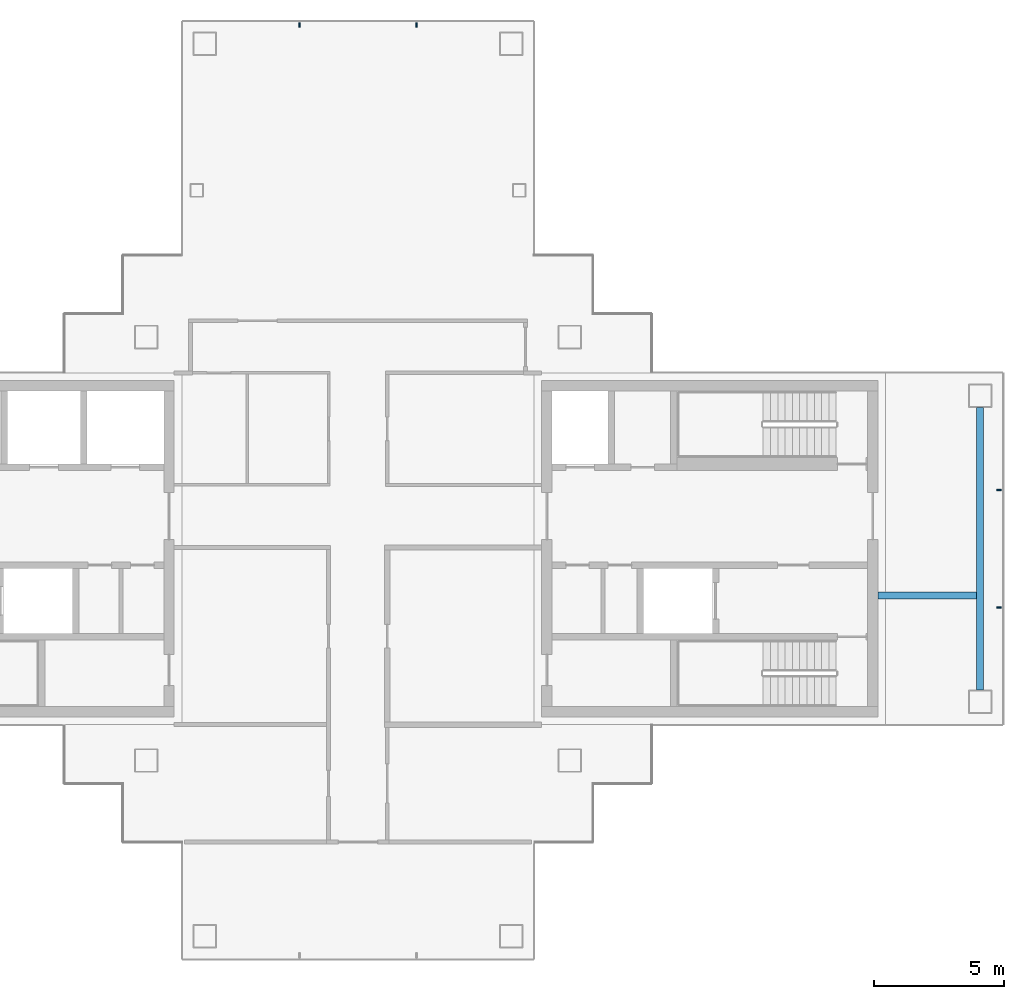
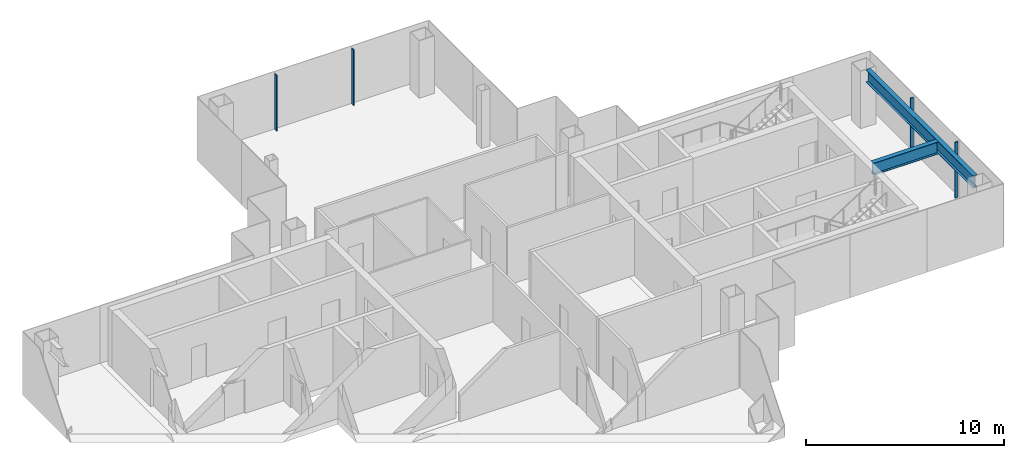
# One storey, part 6 of 16: 4 members, 2 beams, 2 elements without a shape of their own.
"""IFC4 building model written with IfcOpenShell, lengths in metres."""

from ifc_helpers import new_model, si_unit, direction, frame, origin, origin_2d, place, context, subcontext, project, spatial, rectangle, i_section, extrude, material, layer, layer_set, material_profile, profile_set, type_object, element, aggregate, save


model = new_model("IFC4")

# Units and contexts
model_context = context("Model", 3, precision=1e-05, world=origin(), true_north=direction((0.0, 1.0)))
body_context = subcontext(model_context, "Body", "Model", "MODEL_VIEW")
ifc_project = project(units=[si_unit("LENGTHUNIT", "METRE"), si_unit("AREAUNIT", "SQUARE_METRE"), si_unit("VOLUMEUNIT", "CUBIC_METRE"), si_unit("PLANEANGLEUNIT", "RADIAN"), si_unit("MASSUNIT", "GRAM", prefix="KILO")], contexts=[model_context])

# Site, building, storey
site_placement = place(None, origin())
site = spatial("IfcSite", under=ifc_project, at=site_placement, CompositionType="ELEMENT")
building_placement = place(site_placement, origin())
building = spatial("IfcBuilding", under=site, at=building_placement, Name="Shamsa Quay Exchange Towers", CompositionType="ELEMENT")
storey_placement = place(building_placement, frame((0.0, 0.0, 265.5)))
storey = spatial("IfcBuildingStorey", under=building, at=storey_placement, Name="L64", CompositionType="ELEMENT", Elevation=265.5)

# Curtain wall, members
ifc_material_1 = material(Name="Aluminium EN AW-6063 T6, black anodised", Category="aluminium")
ifc_layer = layer(ifc_material_1, 0.280029296875)
ifc_layer_set = layer_set([ifc_layer], Name="CW-1 UNITISED VISION GLASS")
curtain_wall_type = type_object("IfcCurtainWallType", Name="CW-1 UNITISED VISION GLASS", PredefinedType="NOTDEFINED", material=ifc_layer_set)
curtain_wall_1_placement = place(storey_placement, origin())
curtain_wall_1 = element("IfcCurtainWall", 1, at=curtain_wall_1_placement, inside=storey, type_object=curtain_wall_type, Name="CW1 T2-END-V- L64", PredefinedType="NOTDEFINED")
ifc_material_profile_1 = material_profile(ifc_material_1, rectangle(XDim=0.179931640625, YDim=0.06005859375, at=origin_2d()), Name="MU60x180")
ifc_profile_set_1 = profile_set([ifc_material_profile_1], Name="Aluminium EN AW-6063 T6, black anodised")
member_type = type_object("IfcMemberType", Name="CW1 MULLION 60x180", PredefinedType="MULLION", material=ifc_profile_set_1)
member_1_placement = place(storey_placement, frame((58.35009765625, -2.25, 0.0), z_axis=(0.0, 0.0, 1.0), x_axis=(-1.0, 0.0, 0.0)))
member_1 = element("IfcMember", 2, at=member_1_placement, type_object=member_type, Name="CW1 mullion", PredefinedType="MULLION", context=body_context, shape_type="SweptSolid", body=[
    extrude(rectangle(XDim=0.179931640625, YDim=0.06005859375, at=origin_2d()), origin(), (0.0, 0.0, 1.0), 3.449951171875),
])
member_2_placement = place(storey_placement, frame((58.35009765625, 2.25, 0.0), z_axis=(0.0, 0.0, 1.0), x_axis=(-1.0, 0.0, 0.0)))
member_2 = element("IfcMember", 3, at=member_2_placement, type_object=member_type, Name="CW1 mullion", PredefinedType="MULLION", context=body_context, shape_type="SweptSolid", body=[
    extrude(rectangle(XDim=0.179931640625, YDim=0.06005859375, at=origin_2d()), origin(), (0.0, 0.0, 1.0), 3.449951171875),
])
aggregate(curtain_wall_1, [member_1, member_2])

curtain_wall_2_placement = place(storey_placement, origin())
curtain_wall_2 = element("IfcCurtainWall", 4, at=curtain_wall_2_placement, inside=storey, type_object=curtain_wall_type, Name="CW1 T2-END-U+ L64", PredefinedType="NOTDEFINED")
member_3_placement = place(storey_placement, frame((36.0, 20.10009765625, 0.0), z_axis=(0.0, 0.0, 1.0), x_axis=(0.0, -1.0, 0.0)))
member_3 = element("IfcMember", 5, at=member_3_placement, type_object=member_type, Name="CW1 mullion", PredefinedType="MULLION", context=body_context, shape_type="SweptSolid", body=[
    extrude(rectangle(XDim=0.179931640625, YDim=0.06005859375, at=origin_2d()), origin(), (0.0, 0.0, 1.0), 3.449951171875),
])
member_4_placement = place(storey_placement, frame((31.5, 20.10009765625, 0.0), z_axis=(0.0, 0.0, 1.0), x_axis=(0.0, -1.0, 0.0)))
member_4 = element("IfcMember", 6, at=member_4_placement, type_object=member_type, Name="CW1 mullion", PredefinedType="MULLION", context=body_context, shape_type="SweptSolid", body=[
    extrude(rectangle(XDim=0.179931640625, YDim=0.06005859375, at=origin_2d()), origin(), (0.0, 0.0, 1.0), 3.449951171875),
])
aggregate(curtain_wall_2, [member_3, member_4])

# Beams
ifc_material_2 = material(Name="Steel S355", Category="steel")
ifc_material_profile_2 = material_profile(ifc_material_2, i_section(OverallWidth=0.26611328125, OverallDepth=0.7578125, WebThickness=0.013916015625, FlangeThickness=0.019287109375, at=origin_2d()), Name="W30x108")
ifc_profile_set_2 = profile_set([ifc_material_profile_2], Name="Steel S355")
beam_type = type_object("IfcBeamType", Name="End-zone beam W30x108", PredefinedType="BEAM", material=ifc_profile_set_2)
beam_1_placement = place(storey_placement, frame((57.625, -5.425048828125, 3.171142578125), z_axis=(0.0, 1.0, 0.0), x_axis=(-1.0, 0.0, 0.0)))
element("IfcBeam", 7, at=beam_1_placement, inside=storey, type_object=beam_type, Name="End beam T2 V- end zone L64", PredefinedType="BEAM", context=body_context, shape_type="SweptSolid", body=[
    extrude(i_section(OverallWidth=0.26611328125, OverallDepth=0.7578125, WebThickness=0.013916015625, FlangeThickness=0.019287109375, at=origin_2d()), origin(), (0.0, 0.0, 1.0), 10.85009765625),
])
beam_2_placement = place(storey_placement, frame((53.699951171875, -1.800048828125, 3.171142578125), z_axis=(1.0, 0.0, 0.0), x_axis=(0.0, 1.0, 0.0)))
element("IfcBeam", 8, at=beam_2_placement, inside=storey, type_object=beam_type, Name="Spine beam T2 V- end zone L64", PredefinedType="BEAM", context=body_context, shape_type="SweptSolid", body=[
    extrude(i_section(OverallWidth=0.26611328125, OverallDepth=0.7578125, WebThickness=0.013916015625, FlangeThickness=0.019287109375, at=origin_2d()), origin(), (0.0, 0.0, 1.0), 3.7919921875),
])

save(model, "model.ifc")
